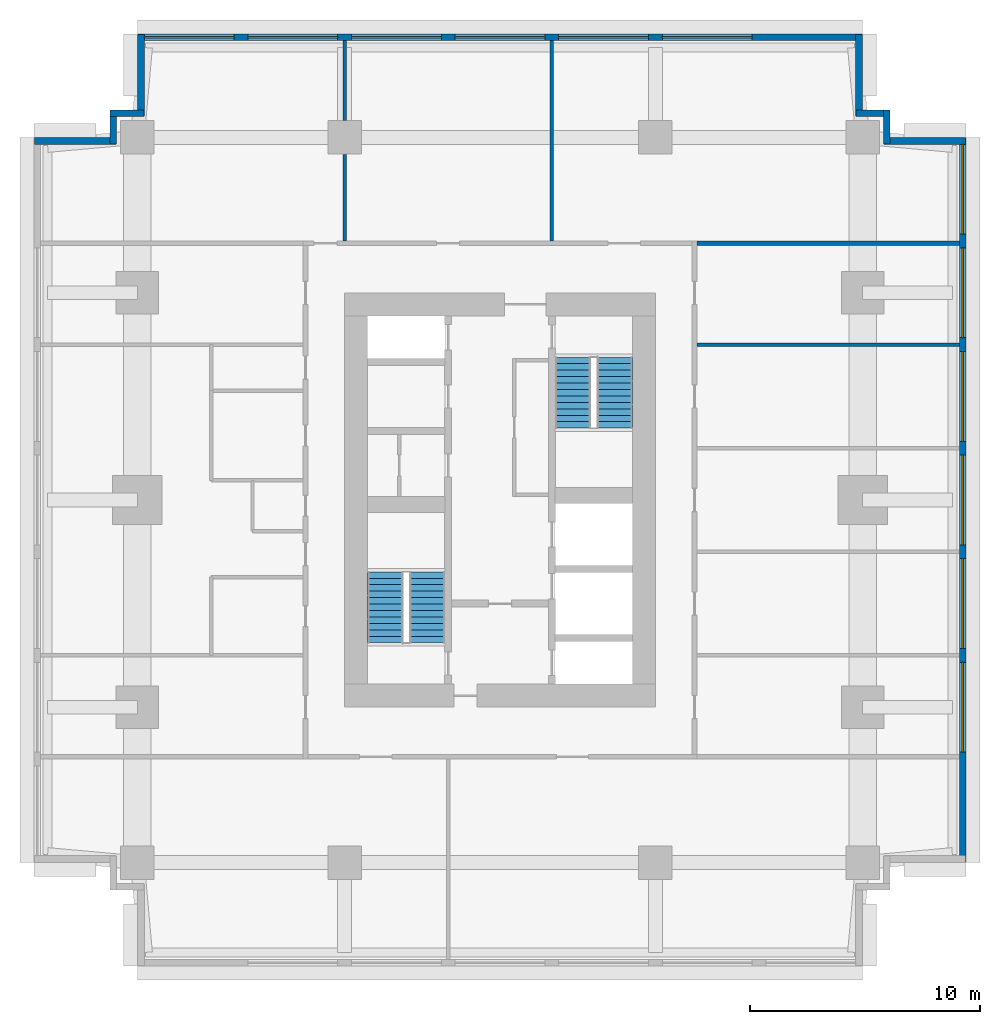
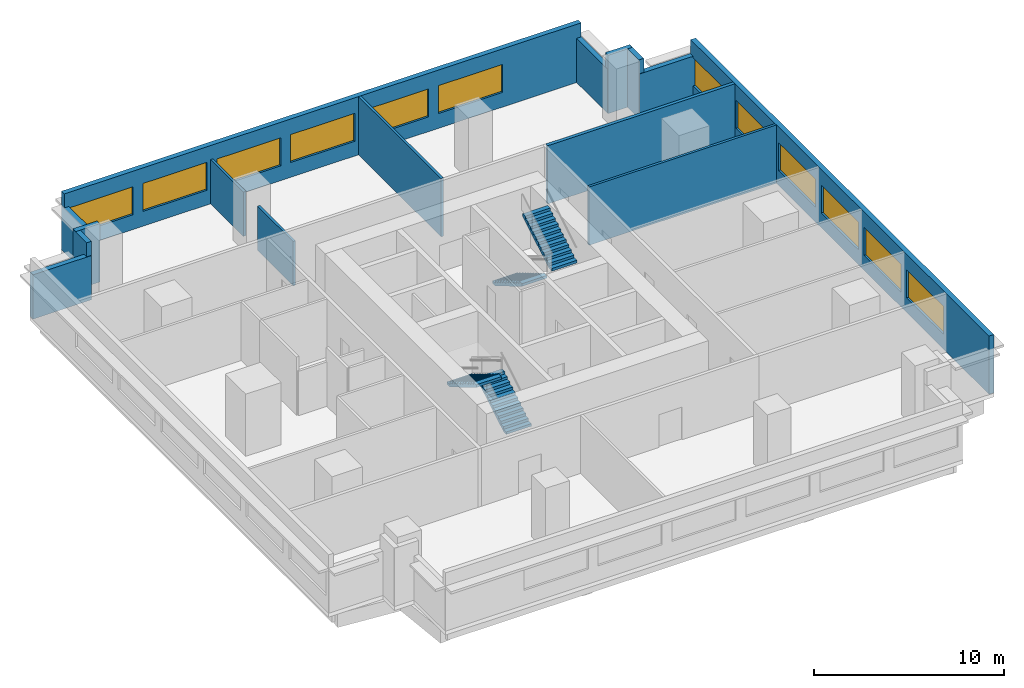
# One storey, part 4 of 5: 15 walls, 12 windows, 4 stair flights, 12 openings, 2 elements without a shape of their own.
"""IFC4 building model written with IfcOpenShell, lengths in metres."""

import ifcopenshell
import ifcopenshell.guid

model = None  # the IFC model being written
_history = None  # IfcOwnerHistory: only IFC2X3 demands one
_inside = {}  # id of a spatial element -> (the spatial element, [elements in it])
_under = {}  # id of a project, library or spatial element -> (it, [spatial elements below it])
_declared = {}  # id of a project -> (the project, [libraries it declares])
_typed = {}  # id of a type object -> (the type object, [elements of that type])
_made_of = {}  # id of a material, layer set ... -> (it, [elements and type objects made of it])


def new_model(schema):
    """Start an empty IFC model of exactly this schema.

    Asked for "IFC4X3", IfcOpenShell would pick the latest addendum, in which some entities
    have other attributes; the version numbers below select the first issue.
    IFC2X3 requires an IfcOwnerHistory on every rooted entity: one is made here for all.
    """
    global model, _history
    if schema == "IFC4X3":
        model = ifcopenshell.file(schema_version=(4, 3, 0, 0))
    else:
        model = ifcopenshell.file(schema=schema)
    _inside.clear()
    _under.clear()
    _declared.clear()
    _typed.clear()
    _made_of.clear()
    _history = None
    if model.schema == "IFC2X3":
        org = make("IfcOrganization", Name="unknown")
        user = make(
            "IfcPersonAndOrganization",
            ThePerson=make("IfcPerson", FamilyName="unknown"),
            TheOrganization=org,
        )
        app = make(
            "IfcApplication",
            ApplicationDeveloper=org,
            Version="unknown",
            ApplicationFullName="unknown",
            ApplicationIdentifier="unknown",
        )
        _history = make(
            "IfcOwnerHistory",
            OwningUser=user,
            OwningApplication=app,
            ChangeAction="ADDED",
            CreationDate=0,
        )
    return model


def make(cls, **values):
    """One entity of the class cls with the attributes given. An attribute that is None is left unset."""
    return model.create_entity(
        cls, **{name: value for name, value in values.items() if value is not None}
    )


def rooted(cls, **values):
    """An entity with a GlobalId (a new one), such as an element, a storey or a relation."""
    return make(cls, GlobalId=ifcopenshell.guid.new(), OwnerHistory=_history, **values)


def si_unit(unit_type, name, prefix=None):
    """IfcSIUnit, for example si_unit("LENGTHUNIT", "METRE", prefix="MILLI")."""
    return make("IfcSIUnit", UnitType=unit_type, Prefix=prefix, Name=name)


def assignment(units):
    """IfcUnitAssignment: the units of a project."""
    return None if units is None else make("IfcUnitAssignment", Units=units)


def point(xyz):
    """IfcCartesianPoint."""
    return None if xyz is None else make("IfcCartesianPoint", Coordinates=xyz)


def direction(xyz):
    """IfcDirection."""
    return None if xyz is None else make("IfcDirection", DirectionRatios=xyz)


def frame(location, z_axis=None, x_axis=None):
    """IfcAxis2Placement3D, a coordinate frame: its origin and axes. An axis left out is left unset."""
    return make(
        "IfcAxis2Placement3D",
        Location=point(location),
        Axis=direction(z_axis),
        RefDirection=direction(x_axis),
    )


def frame_2d(location, x_axis=None):
    """IfcAxis2Placement2D, a coordinate frame in the plane: its origin and x axis."""
    return make(
        "IfcAxis2Placement2D", Location=point(location), RefDirection=direction(x_axis)
    )


def origin():
    """The frame at (0, 0, 0) with its axes left unset."""
    return frame((0.0, 0.0, 0.0))


def place(relative_to, where):
    """IfcLocalPlacement: puts the frame where relative to a parent placement (None: the world)."""
    return make(
        "IfcLocalPlacement", PlacementRelTo=relative_to, RelativePlacement=where
    )


def context(
    kind, dimensions, precision=None, world=None, true_north=None, identifier=None
):
    """IfcGeometricRepresentationContext, for example the 3D "Model" context."""
    return make(
        "IfcGeometricRepresentationContext",
        ContextIdentifier=identifier,
        ContextType=kind,
        CoordinateSpaceDimension=dimensions,
        Precision=precision,
        WorldCoordinateSystem=world,
        TrueNorth=true_north,
    )


def subcontext(parent, identifier, kind, view, scale=None):
    """IfcGeometricRepresentationSubContext, for example "Body" below "Model"."""
    return make(
        "IfcGeometricRepresentationSubContext",
        ContextIdentifier=identifier,
        ContextType=kind,
        ParentContext=parent,
        TargetScale=scale,
        TargetView=view,
    )


def project(units=None, contexts=None):
    """IfcProject with its units and contexts."""
    return rooted(
        "IfcProject",
        Name="project",
        RepresentationContexts=contexts,
        UnitsInContext=assignment(units),
    )


def spatial(cls, under=None, at=None, **own):
    """A site, building, storey or space (cls), placed at a placement, below another one or the project."""
    s = rooted(cls, ObjectPlacement=at, **own)
    if under is not None:
        _under.setdefault(under.id(), (under, []))[1].append(s)
    return s


def polyline(points):
    """IfcPolyline through the points."""
    return make("IfcPolyline", Points=[point(p) for p in points])


def profile(cls, at=None, kind="AREA", **sizes):
    """A parametric profile (cls). Its sizes go by their IFC names, for example OverallWidth=200.0."""
    return make(cls, ProfileType=kind, Position=at, **sizes)


def rectangle(**sizes):
    """IfcRectangleProfileDef."""
    return profile("IfcRectangleProfileDef", **sizes)


def outline(outer, holes=None, kind="AREA"):
    """IfcArbitraryClosedProfileDef: a profile drawn as a closed curve; with holes, ...WithVoids."""
    if holes is None:
        return make("IfcArbitraryClosedProfileDef", ProfileType=kind, OuterCurve=outer)
    return make(
        "IfcArbitraryProfileDefWithVoids",
        ProfileType=kind,
        OuterCurve=outer,
        InnerCurves=holes,
    )


def extrude(swept, where, along, depth):
    """IfcExtrudedAreaSolid: the profile swept, set in the frame where, extruded along a direction by depth."""
    return make(
        "IfcExtrudedAreaSolid",
        SweptArea=swept,
        Position=where,
        ExtrudedDirection=direction(along),
        Depth=depth,
    )


def shape(context_of_items, identifier, shape_type, items):
    """IfcShapeRepresentation: the items that make up one representation, for example the "Body"."""
    return make(
        "IfcShapeRepresentation",
        ContextOfItems=context_of_items,
        RepresentationIdentifier=identifier,
        RepresentationType=shape_type,
        Items=items,
    )


def material(Name=None, Category=None):
    """IfcMaterial."""
    return make("IfcMaterial", Name=Name, Category=Category)


def layer(
    of_material, thickness, ventilated=None, Name=None, Category=None, Priority=None
):
    """IfcMaterialLayer: one layer of a wall or slab, of a material (None: an air gap)."""
    return make(
        "IfcMaterialLayer",
        Material=of_material,
        LayerThickness=thickness,
        IsVentilated=ventilated,
        Name=Name,
        Category=Category,
        Priority=Priority,
    )


def layer_set(layers, Name=None):
    """IfcMaterialLayerSet."""
    return make("IfcMaterialLayerSet", MaterialLayers=layers, LayerSetName=Name)


def made_of(thing, what):
    """Note that an element or type object is made of a material, layer set ...; save() writes the relation."""
    if what is not None:
        _made_of.setdefault(what.id(), (what, []))[1].append(thing)
    return thing


def type_object(cls, material=None, **own):
    """A type object (cls), such as IfcWallType, which elements share."""
    return made_of(rooted(cls, **own), material)


def element(
    cls,
    number,
    at=None,
    inside=None,
    cuts=None,
    type_object=None,
    material=None,
    context=None,
    identifier="Body",
    shape_type=None,
    held_by="IfcProductDefinitionShape",
    body=None,
    shapes=None,
    **own,
):
    """One element of the class cls, such as IfcWall. Its Tag is "e" and its number.

    at: its placement. inside: the storey or other place that contains it. cuts: it is an
    opening in that element (IfcRelVoidsElement). A single representation is given by context,
    identifier, shape_type and body (its items); several are given by shapes. held_by: the class
    of the entity that holds the representations. save() writes the other relations.
    """
    e = rooted(cls, Tag="e%d" % number, ObjectPlacement=at, **own)
    if body is not None:
        shapes = [shape(context, identifier, shape_type, body)]
    if shapes is not None:
        e.Representation = make(held_by, Representations=shapes)
    if inside is not None:
        _inside.setdefault(inside.id(), (inside, []))[1].append(e)
    if cuts is not None:
        rooted(
            "IfcRelVoidsElement", RelatingBuildingElement=cuts, RelatedOpeningElement=e
        )
    if type_object is not None:
        _typed.setdefault(type_object.id(), (type_object, []))[1].append(e)
    return made_of(e, material)


def fill(opening, filler):
    """IfcRelFillsElement: the door or window that sits in an opening."""
    return rooted(
        "IfcRelFillsElement",
        RelatingOpeningElement=opening,
        RelatedBuildingElement=filler,
    )


def aggregate(whole, parts):
    """IfcRelAggregates: a whole, such as a stair, and the parts it consists of."""
    return rooted("IfcRelAggregates", RelatingObject=whole, RelatedObjects=parts)


def save(model, path):
    """Write the relations noted so far, then the file.

    IfcRelAggregates (storeys below a building ...), IfcRelContainedInSpatialStructure (elements
    in a storey), IfcRelDefinesByType, IfcRelAssociatesMaterial and IfcRelDeclares: one each for
    every whole, place, type object, material and project.
    """
    for whole, parts in _under.values():
        aggregate(whole, parts)
    for where, things in _inside.values():
        rooted(
            "IfcRelContainedInSpatialStructure",
            RelatedElements=things,
            RelatingStructure=where,
        )
    for kind, things in _typed.values():
        rooted("IfcRelDefinesByType", RelatedObjects=things, RelatingType=kind)
    for what, things in _made_of.values():
        rooted("IfcRelAssociatesMaterial", RelatedObjects=things, RelatingMaterial=what)
    for by, libraries in _declared.values():
        rooted("IfcRelDeclares", RelatingContext=by, RelatedDefinitions=libraries)
    model.write(path)


model = new_model("IFC4")

# Units and contexts
model_context = context("Model", 3, precision=1e-05, world=origin(), true_north=direction((0.0, 1.0)))
body_context = subcontext(model_context, "Body", "Model", "MODEL_VIEW")
ifc_project = project(units=[si_unit("LENGTHUNIT", "METRE"), si_unit("AREAUNIT", "SQUARE_METRE"), si_unit("VOLUMEUNIT", "CUBIC_METRE"), si_unit("PLANEANGLEUNIT", "RADIAN"), si_unit("MASSUNIT", "GRAM", prefix="KILO")], contexts=[model_context])

# Site, building, storey
site_placement = place(None, origin())
site = spatial("IfcSite", under=ifc_project, at=site_placement, CompositionType="ELEMENT")
building_placement = place(site_placement, origin())
building = spatial("IfcBuilding", under=site, at=building_placement, Name="Namib Vertical Campus", CompositionType="ELEMENT")
storey_placement = place(building_placement, frame((0.0, 0.0, 253.0)))
storey = spatial("IfcBuildingStorey", under=building, at=storey_placement, Name="L59", CompositionType="ELEMENT", Elevation=253.0)

# Wall
ifc_material_1 = material(Name="Concrete masonry", Category="masonry")
ifc_layer_1 = layer(ifc_material_1, 0.199951171875)
ifc_layer_set_1 = layer_set([ifc_layer_1], Name="Corridor wall 200")
wall_type_1 = type_object("IfcWallType", Name="Corridor wall 200", PredefinedType="SOLIDWALL", material=ifc_layer_set_1)
wall_1_placement = place(storey_placement, frame((28.800048828125, 31.39990234375, 0.0), z_axis=(0.0, 0.0, 1.0), x_axis=(1.0, 0.0, 0.0)))
element("IfcWall", 1, at=wall_1_placement, inside=storey, type_object=wall_type_1, Name="Partition A L59 BNE", PredefinedType="SOLIDWALL", context=body_context, shape_type="SweptSolid", body=[
    extrude(rectangle(XDim=11.39990234375, YDim=0.199951171875, at=frame_2d((5.699951171875, 0.0))), origin(), (0.0, 0.0, 1.0), 3.75),
])

# Wall, openings, windows
ifc_material_2 = material(Name="Concrete C40/50", Category="concrete")
ifc_layer_2 = layer(ifc_material_2, 0.300048828125)
ifc_layer_set_2 = layer_set([ifc_layer_2], Name="Concrete C40/50")
wall_type_2 = type_object("IfcWallType", Name="External wall 300 board-marked concrete", PredefinedType="STANDARD", material=ifc_layer_set_2)
wall_2_placement = place(storey_placement, frame((40.35009765625, 4.52001953125, 0.0), z_axis=(0.0, 0.0, 1.0), x_axis=(0.0, 1.0, 0.0)))
wall_2 = element("IfcWall", 2, at=wall_2_placement, inside=storey, type_object=wall_type_2, Name="External wall L59 F06", PredefinedType="STANDARD", context=body_context, shape_type="SweptSolid", body=[
    extrude(rectangle(XDim=31.4599609375, YDim=0.300048828125, at=frame_2d((15.72998046875, 0.0))), origin(), (0.0, 0.0, 1.0), 3.75),
])
opening_1_placement = place(wall_2_placement, frame((4.780029296875, 0.0, 0.949951171875)))
opening_1 = element("IfcOpeningElement", 3, at=opening_1_placement, cuts=wall_2, Name="Opening W3", PredefinedType="OPENING", context=body_context, shape_type="SweptSolid", body=[
    extrude(rectangle(XDim=3.89990234375, YDim=1.800048828125, at=frame_2d((1.949951171875, 0.89990234375))), frame((0.0, 0.159912109375, 0.0), z_axis=(0.0, -1.0, 0.0), x_axis=(1.0, 0.0, 0.0)), (0.0, 0.0, 1.0), 0.320068359375),
])
opening_2_placement = place(wall_2_placement, frame((9.280029296875, 0.0, 0.949951171875)))
opening_2 = element("IfcOpeningElement", 4, at=opening_2_placement, cuts=wall_2, Name="Opening W3", PredefinedType="OPENING", context=body_context, shape_type="SweptSolid", body=[
    extrude(rectangle(XDim=3.89990234375, YDim=1.800048828125, at=frame_2d((1.949951171875, 0.89990234375))), frame((0.0, 0.159912109375, 0.0), z_axis=(0.0, -1.0, 0.0), x_axis=(1.0, 0.0, 0.0)), (0.0, 0.0, 1.0), 0.320068359375),
])
opening_3_placement = place(wall_2_placement, frame((13.780029296875, 0.0, 0.949951171875)))
opening_3 = element("IfcOpeningElement", 5, at=opening_3_placement, cuts=wall_2, Name="Opening W3", PredefinedType="OPENING", context=body_context, shape_type="SweptSolid", body=[
    extrude(rectangle(XDim=3.89990234375, YDim=1.800048828125, at=frame_2d((1.949951171875, 0.89990234375))), frame((0.0, 0.159912109375, 0.0), z_axis=(0.0, -1.0, 0.0), x_axis=(1.0, 0.0, 0.0)), (0.0, 0.0, 1.0), 0.320068359375),
])
opening_4_placement = place(wall_2_placement, frame((18.280029296875, 0.0, 0.949951171875)))
opening_4 = element("IfcOpeningElement", 6, at=opening_4_placement, cuts=wall_2, Name="Opening W3", PredefinedType="OPENING", context=body_context, shape_type="SweptSolid", body=[
    extrude(rectangle(XDim=3.89990234375, YDim=1.800048828125, at=frame_2d((1.949951171875, 0.89990234375))), frame((0.0, 0.159912109375, 0.0), z_axis=(0.0, -1.0, 0.0), x_axis=(1.0, 0.0, 0.0)), (0.0, 0.0, 1.0), 0.320068359375),
])
opening_5_placement = place(wall_2_placement, frame((22.780029296875, 0.0, 0.949951171875)))
opening_5 = element("IfcOpeningElement", 7, at=opening_5_placement, cuts=wall_2, Name="Opening W3", PredefinedType="OPENING", context=body_context, shape_type="SweptSolid", body=[
    extrude(rectangle(XDim=3.89990234375, YDim=1.800048828125, at=frame_2d((1.949951171875, 0.89990234375))), frame((0.0, 0.159912109375, 0.0), z_axis=(0.0, -1.0, 0.0), x_axis=(1.0, 0.0, 0.0)), (0.0, 0.0, 1.0), 0.320068359375),
])
opening_6_placement = place(wall_2_placement, frame((27.280029296875, 0.0, 0.949951171875)))
opening_6 = element("IfcOpeningElement", 8, at=opening_6_placement, cuts=wall_2, Name="Opening W3", PredefinedType="OPENING", context=body_context, shape_type="SweptSolid", body=[
    extrude(rectangle(XDim=3.89990234375, YDim=1.800048828125, at=frame_2d((1.949951171875, 0.89990234375))), frame((0.0, 0.159912109375, 0.0), z_axis=(0.0, -1.0, 0.0), x_axis=(1.0, 0.0, 0.0)), (0.0, 0.0, 1.0), 0.320068359375),
])
ifc_material_3 = material(Name="Dark tinted glass in black aluminium frame", Category="aluminium")
window_type = type_object("IfcWindowType", Name="Ribbon window 3900x1800", PartitioningType="SINGLE_PANEL", PredefinedType="WINDOW", material=ifc_material_3)
window_1_placement = place(opening_1_placement, origin())
window_1 = element("IfcWindow", 9, at=window_1_placement, inside=storey, type_object=window_type, Name="Window W3 L59 F06-2", OverallHeight=1.800048828125, OverallWidth=3.89990234375, PartitioningType="SINGLE_PANEL", PredefinedType="WINDOW", context=body_context, shape_type="SweptSolid", body=[
    extrude(rectangle(XDim=3.89990234375, YDim=1.800048828125, at=frame_2d((1.949951171875, 0.89990234375))), frame((0.0, 0.030029296875, 0.0), z_axis=(0.0, -1.0, 0.0), x_axis=(1.0, 0.0, 0.0)), (0.0, 0.0, 1.0), 0.06005859375),
])
fill(opening_1, window_1)
window_2_placement = place(opening_2_placement, origin())
window_2 = element("IfcWindow", 10, at=window_2_placement, inside=storey, type_object=window_type, Name="Window W3 L59 F06-3", OverallHeight=1.800048828125, OverallWidth=3.89990234375, PartitioningType="SINGLE_PANEL", PredefinedType="WINDOW", context=body_context, shape_type="SweptSolid", body=[
    extrude(rectangle(XDim=3.89990234375, YDim=1.800048828125, at=frame_2d((1.949951171875, 0.89990234375))), frame((0.0, 0.030029296875, 0.0), z_axis=(0.0, -1.0, 0.0), x_axis=(1.0, 0.0, 0.0)), (0.0, 0.0, 1.0), 0.06005859375),
])
fill(opening_2, window_2)
window_3_placement = place(opening_3_placement, origin())
window_3 = element("IfcWindow", 11, at=window_3_placement, inside=storey, type_object=window_type, Name="Window W3 L59 F06-4", OverallHeight=1.800048828125, OverallWidth=3.89990234375, PartitioningType="SINGLE_PANEL", PredefinedType="WINDOW", context=body_context, shape_type="SweptSolid", body=[
    extrude(rectangle(XDim=3.89990234375, YDim=1.800048828125, at=frame_2d((1.949951171875, 0.89990234375))), frame((0.0, 0.030029296875, 0.0), z_axis=(0.0, -1.0, 0.0), x_axis=(1.0, 0.0, 0.0)), (0.0, 0.0, 1.0), 0.06005859375),
])
fill(opening_3, window_3)
window_4_placement = place(opening_4_placement, origin())
window_4 = element("IfcWindow", 12, at=window_4_placement, inside=storey, type_object=window_type, Name="Window W3 L59 F06-5", OverallHeight=1.800048828125, OverallWidth=3.89990234375, PartitioningType="SINGLE_PANEL", PredefinedType="WINDOW", context=body_context, shape_type="SweptSolid", body=[
    extrude(rectangle(XDim=3.89990234375, YDim=1.800048828125, at=frame_2d((1.949951171875, 0.89990234375))), frame((0.0, 0.030029296875, 0.0), z_axis=(0.0, -1.0, 0.0), x_axis=(1.0, 0.0, 0.0)), (0.0, 0.0, 1.0), 0.06005859375),
])
fill(opening_4, window_4)
window_5_placement = place(opening_5_placement, origin())
window_5 = element("IfcWindow", 13, at=window_5_placement, inside=storey, type_object=window_type, Name="Window W3 L59 F06-6", OverallHeight=1.800048828125, OverallWidth=3.89990234375, PartitioningType="SINGLE_PANEL", PredefinedType="WINDOW", context=body_context, shape_type="SweptSolid", body=[
    extrude(rectangle(XDim=3.89990234375, YDim=1.800048828125, at=frame_2d((1.949951171875, 0.89990234375))), frame((0.0, 0.030029296875, 0.0), z_axis=(0.0, -1.0, 0.0), x_axis=(1.0, 0.0, 0.0)), (0.0, 0.0, 1.0), 0.06005859375),
])
fill(opening_5, window_5)
window_6_placement = place(opening_6_placement, origin())
window_6 = element("IfcWindow", 14, at=window_6_placement, inside=storey, type_object=window_type, Name="Window W3 L59 F06-7", OverallHeight=1.800048828125, OverallWidth=3.89990234375, PartitioningType="SINGLE_PANEL", PredefinedType="WINDOW", context=body_context, shape_type="SweptSolid", body=[
    extrude(rectangle(XDim=3.89990234375, YDim=1.800048828125, at=frame_2d((1.949951171875, 0.89990234375))), frame((0.0, 0.030029296875, 0.0), z_axis=(0.0, -1.0, 0.0), x_axis=(1.0, 0.0, 0.0)), (0.0, 0.0, 1.0), 0.06005859375),
])
fill(opening_6, window_6)

# Walls
wall_3_placement = place(storey_placement, frame((40.47998046875, 35.85009765625, 0.0), z_axis=(0.0, 0.0, 1.0), x_axis=(-1.0, 0.0, 0.0)))
element("IfcWall", 15, at=wall_3_placement, inside=storey, type_object=wall_type_2, Name="External wall L59 F07", PredefinedType="STANDARD", context=body_context, shape_type="SweptSolid", body=[
    extrude(rectangle(XDim=3.56005859375, YDim=0.300048828125, at=frame_2d((1.780029296875, 0.0))), origin(), (0.0, 0.0, 1.0), 2.85009765625),
])
for number, where, z_axis, x_axis, name in (
    (16, (37.050048828125, 35.719970703125, 0.0), (0.0, 0.0, 1.0), (0.0, 1.0, 0.0), "External wall L59 F08"),
    (17, (37.179931640625, 37.050048828125, 0.0), (0.0, 0.0, 1.0), (-1.0, 0.0, 0.0), "External wall L59 F09"),
):
    element("IfcWall", number, at=place(storey_placement, frame(where, z_axis=z_axis, x_axis=x_axis)), inside=storey, type_object=wall_type_2, Name=name, PredefinedType="STANDARD", context=body_context, shape_type="SweptSolid", body=[
        extrude(rectangle(XDim=1.4599609375, YDim=0.300048828125, at=frame_2d((0.72998046875, 0.0))), origin(), (0.0, 0.0, 1.0), 3.75),
    ])
wall_4_placement = place(storey_placement, frame((35.85009765625, 36.919921875, 0.0), z_axis=(0.0, 0.0, 1.0), x_axis=(0.0, 1.0, 0.0)))
element("IfcWall", 18, at=wall_4_placement, inside=storey, type_object=wall_type_2, Name="External wall L59 F10", PredefinedType="STANDARD", context=body_context, shape_type="SweptSolid", body=[
    extrude(rectangle(XDim=3.56005859375, YDim=0.300048828125, at=frame_2d((1.780029296875, 0.0))), origin(), (0.0, 0.0, 1.0), 2.85009765625),
])

# Wall, openings, windows
wall_5_placement = place(storey_placement, frame((35.97998046875, 40.35009765625, 0.0), z_axis=(0.0, 0.0, 1.0), x_axis=(-1.0, 0.0, 0.0)))
wall_5 = element("IfcWall", 19, at=wall_5_placement, inside=storey, type_object=wall_type_2, Name="External wall L59 F11", PredefinedType="STANDARD", context=body_context, shape_type="SweptSolid", body=[
    extrude(rectangle(XDim=31.4599609375, YDim=0.300048828125, at=frame_2d((15.72998046875, 0.0))), origin(), (0.0, 0.0, 1.0), 3.75),
])
opening_7_placement = place(wall_5_placement, frame((27.280029296875, 0.0, 0.949951171875)))
opening_7 = element("IfcOpeningElement", 20, at=opening_7_placement, cuts=wall_5, Name="Opening W3", PredefinedType="OPENING", context=body_context, shape_type="SweptSolid", body=[
    extrude(rectangle(XDim=3.89990234375, YDim=1.800048828125, at=frame_2d((1.949951171875, 0.89990234375))), frame((0.0, 0.159912109375, 0.0), z_axis=(0.0, -1.0, 0.0), x_axis=(1.0, 0.0, 0.0)), (0.0, 0.0, 1.0), 0.320068359375),
])
opening_8_placement = place(wall_5_placement, frame((22.780029296875, 0.0, 0.949951171875)))
opening_8 = element("IfcOpeningElement", 21, at=opening_8_placement, cuts=wall_5, Name="Opening W3", PredefinedType="OPENING", context=body_context, shape_type="SweptSolid", body=[
    extrude(rectangle(XDim=3.89990234375, YDim=1.800048828125, at=frame_2d((1.949951171875, 0.89990234375))), frame((0.0, 0.159912109375, 0.0), z_axis=(0.0, -1.0, 0.0), x_axis=(1.0, 0.0, 0.0)), (0.0, 0.0, 1.0), 0.320068359375),
])
opening_9_placement = place(wall_5_placement, frame((18.280029296875, 0.0, 0.949951171875)))
opening_9 = element("IfcOpeningElement", 22, at=opening_9_placement, cuts=wall_5, Name="Opening W3", PredefinedType="OPENING", context=body_context, shape_type="SweptSolid", body=[
    extrude(rectangle(XDim=3.89990234375, YDim=1.800048828125, at=frame_2d((1.949951171875, 0.89990234375))), frame((0.0, 0.159912109375, 0.0), z_axis=(0.0, -1.0, 0.0), x_axis=(1.0, 0.0, 0.0)), (0.0, 0.0, 1.0), 0.320068359375),
])
opening_10_placement = place(wall_5_placement, frame((13.780029296875, 0.0, 0.949951171875)))
opening_10 = element("IfcOpeningElement", 23, at=opening_10_placement, cuts=wall_5, Name="Opening W3", PredefinedType="OPENING", context=body_context, shape_type="SweptSolid", body=[
    extrude(rectangle(XDim=3.89990234375, YDim=1.800048828125, at=frame_2d((1.949951171875, 0.89990234375))), frame((0.0, 0.159912109375, 0.0), z_axis=(0.0, -1.0, 0.0), x_axis=(1.0, 0.0, 0.0)), (0.0, 0.0, 1.0), 0.320068359375),
])
opening_11_placement = place(wall_5_placement, frame((9.280029296875, 0.0, 0.949951171875)))
opening_11 = element("IfcOpeningElement", 24, at=opening_11_placement, cuts=wall_5, Name="Opening W3", PredefinedType="OPENING", context=body_context, shape_type="SweptSolid", body=[
    extrude(rectangle(XDim=3.89990234375, YDim=1.800048828125, at=frame_2d((1.949951171875, 0.89990234375))), frame((0.0, 0.159912109375, 0.0), z_axis=(0.0, -1.0, 0.0), x_axis=(1.0, 0.0, 0.0)), (0.0, 0.0, 1.0), 0.320068359375),
])
opening_12_placement = place(wall_5_placement, frame((4.780029296875, 0.0, 0.949951171875)))
opening_12 = element("IfcOpeningElement", 25, at=opening_12_placement, cuts=wall_5, Name="Opening W3", PredefinedType="OPENING", context=body_context, shape_type="SweptSolid", body=[
    extrude(rectangle(XDim=3.89990234375, YDim=1.800048828125, at=frame_2d((1.949951171875, 0.89990234375))), frame((0.0, 0.159912109375, 0.0), z_axis=(0.0, -1.0, 0.0), x_axis=(1.0, 0.0, 0.0)), (0.0, 0.0, 1.0), 0.320068359375),
])
window_7_placement = place(opening_7_placement, origin())
window_7 = element("IfcWindow", 26, at=window_7_placement, inside=storey, type_object=window_type, Name="Window W3 L59 F11-1", OverallHeight=1.800048828125, OverallWidth=3.89990234375, PartitioningType="SINGLE_PANEL", PredefinedType="WINDOW", context=body_context, shape_type="SweptSolid", body=[
    extrude(rectangle(XDim=3.89990234375, YDim=1.800048828125, at=frame_2d((1.949951171875, 0.89990234375))), frame((0.0, 0.030029296875, 0.0), z_axis=(0.0, -1.0, 0.0), x_axis=(1.0, 0.0, 0.0)), (0.0, 0.0, 1.0), 0.06005859375),
])
fill(opening_7, window_7)
window_8_placement = place(opening_8_placement, origin())
window_8 = element("IfcWindow", 27, at=window_8_placement, inside=storey, type_object=window_type, Name="Window W3 L59 F11-2", OverallHeight=1.800048828125, OverallWidth=3.89990234375, PartitioningType="SINGLE_PANEL", PredefinedType="WINDOW", context=body_context, shape_type="SweptSolid", body=[
    extrude(rectangle(XDim=3.89990234375, YDim=1.800048828125, at=frame_2d((1.949951171875, 0.89990234375))), frame((0.0, 0.030029296875, 0.0), z_axis=(0.0, -1.0, 0.0), x_axis=(1.0, 0.0, 0.0)), (0.0, 0.0, 1.0), 0.06005859375),
])
fill(opening_8, window_8)
window_9_placement = place(opening_9_placement, origin())
window_9 = element("IfcWindow", 28, at=window_9_placement, inside=storey, type_object=window_type, Name="Window W3 L59 F11-3", OverallHeight=1.800048828125, OverallWidth=3.89990234375, PartitioningType="SINGLE_PANEL", PredefinedType="WINDOW", context=body_context, shape_type="SweptSolid", body=[
    extrude(rectangle(XDim=3.89990234375, YDim=1.800048828125, at=frame_2d((1.949951171875, 0.89990234375))), frame((0.0, 0.030029296875, 0.0), z_axis=(0.0, -1.0, 0.0), x_axis=(1.0, 0.0, 0.0)), (0.0, 0.0, 1.0), 0.06005859375),
])
fill(opening_9, window_9)
window_10_placement = place(opening_10_placement, origin())
window_10 = element("IfcWindow", 29, at=window_10_placement, inside=storey, type_object=window_type, Name="Window W3 L59 F11-4", OverallHeight=1.800048828125, OverallWidth=3.89990234375, PartitioningType="SINGLE_PANEL", PredefinedType="WINDOW", context=body_context, shape_type="SweptSolid", body=[
    extrude(rectangle(XDim=3.89990234375, YDim=1.800048828125, at=frame_2d((1.949951171875, 0.89990234375))), frame((0.0, 0.030029296875, 0.0), z_axis=(0.0, -1.0, 0.0), x_axis=(1.0, 0.0, 0.0)), (0.0, 0.0, 1.0), 0.06005859375),
])
fill(opening_10, window_10)
window_11_placement = place(opening_11_placement, origin())
window_11 = element("IfcWindow", 30, at=window_11_placement, inside=storey, type_object=window_type, Name="Window W3 L59 F11-5", OverallHeight=1.800048828125, OverallWidth=3.89990234375, PartitioningType="SINGLE_PANEL", PredefinedType="WINDOW", context=body_context, shape_type="SweptSolid", body=[
    extrude(rectangle(XDim=3.89990234375, YDim=1.800048828125, at=frame_2d((1.949951171875, 0.89990234375))), frame((0.0, 0.030029296875, 0.0), z_axis=(0.0, -1.0, 0.0), x_axis=(1.0, 0.0, 0.0)), (0.0, 0.0, 1.0), 0.06005859375),
])
fill(opening_11, window_11)
window_12_placement = place(opening_12_placement, origin())
window_12 = element("IfcWindow", 31, at=window_12_placement, inside=storey, type_object=window_type, Name="Window W3 L59 F11-6", OverallHeight=1.800048828125, OverallWidth=3.89990234375, PartitioningType="SINGLE_PANEL", PredefinedType="WINDOW", context=body_context, shape_type="SweptSolid", body=[
    extrude(rectangle(XDim=3.89990234375, YDim=1.800048828125, at=frame_2d((1.949951171875, 0.89990234375))), frame((0.0, 0.030029296875, 0.0), z_axis=(0.0, -1.0, 0.0), x_axis=(1.0, 0.0, 0.0)), (0.0, 0.0, 1.0), 0.06005859375),
])
fill(opening_12, window_12)

# Walls
wall_6_placement = place(storey_placement, frame((4.64990234375, 40.47998046875, 0.0), z_axis=(0.0, 0.0, 1.0), x_axis=(0.0, -1.0, 0.0)))
element("IfcWall", 32, at=wall_6_placement, inside=storey, type_object=wall_type_2, Name="External wall L59 F12", PredefinedType="STANDARD", context=body_context, shape_type="SweptSolid", body=[
    extrude(rectangle(XDim=3.56005859375, YDim=0.300048828125, at=frame_2d((1.780029296875, 0.0))), origin(), (0.0, 0.0, 1.0), 2.85009765625),
])
for number, where, z_axis, x_axis, name in (
    (33, (4.780029296875, 37.050048828125, 0.0), (0.0, 0.0, 1.0), (-1.0, 0.0, 0.0), "External wall L59 F13"),
    (34, (3.449951171875, 37.179931640625, 0.0), (0.0, 0.0, 1.0), (0.0, -1.0, 0.0), "External wall L59 F14"),
):
    element("IfcWall", number, at=place(storey_placement, frame(where, z_axis=z_axis, x_axis=x_axis)), inside=storey, type_object=wall_type_2, Name=name, PredefinedType="STANDARD", context=body_context, shape_type="SweptSolid", body=[
        extrude(rectangle(XDim=1.4599609375, YDim=0.300048828125, at=frame_2d((0.72998046875, 0.0))), origin(), (0.0, 0.0, 1.0), 3.75),
    ])
wall_7_placement = place(storey_placement, frame((3.580078125, 35.85009765625, 0.0), z_axis=(0.0, 0.0, 1.0), x_axis=(-1.0, 0.0, 0.0)))
element("IfcWall", 35, at=wall_7_placement, inside=storey, type_object=wall_type_2, Name="External wall L59 F15", PredefinedType="STANDARD", context=body_context, shape_type="SweptSolid", body=[
    extrude(rectangle(XDim=3.56005859375, YDim=0.300048828125, at=frame_2d((1.780029296875, 0.0))), origin(), (0.0, 0.0, 1.0), 2.85009765625),
])
ifc_material_4 = material(Name="Gypsum board on steel studs", Category="steel")
ifc_layer_3 = layer(ifc_material_4, 0.14990234375)
ifc_layer_set_3 = layer_set([ifc_layer_3], Name="Gypsum board on steel studs")
wall_type_3 = type_object("IfcWallType", Name="Partition 150", PredefinedType="PARTITIONING", material=ifc_layer_set_3)
wall_8_placement = place(storey_placement, frame((13.5, 31.5, 0.0), z_axis=(0.0, 0.0, 1.0), x_axis=(0.0, 1.0, 0.0)))
element("IfcWall", 36, at=wall_8_placement, inside=storey, type_object=wall_type_3, Name="Partition A L59 PN1", PredefinedType="PARTITIONING", context=body_context, shape_type="SweptSolid", body=[
    extrude(rectangle(XDim=3.7548828125, YDim=0.14990234375, at=frame_2d((1.87744140625, 0.0))), origin(), (0.0, 0.0, 1.0), 2.85009765625),
])
wall_9_placement = place(storey_placement, frame((13.5, 36.7451171875, 0.0), z_axis=(0.0, 0.0, 1.0), x_axis=(0.0, 1.0, 0.0)))
element("IfcWall", 37, at=wall_9_placement, inside=storey, type_object=wall_type_3, Name="Partition A L59 PN1", PredefinedType="PARTITIONING", context=body_context, shape_type="SweptSolid", body=[
    extrude(rectangle(XDim=3.454833984375, YDim=0.14990234375, at=frame_2d((1.7275390625, 0.0))), origin(), (0.0, 0.0, 1.0), 2.85009765625),
])
wall_10_placement = place(storey_placement, frame((22.5, 31.5, 0.0), z_axis=(0.0, 0.0, 1.0), x_axis=(0.0, 1.0, 0.0)))
element("IfcWall", 38, at=wall_10_placement, inside=storey, type_object=wall_type_3, Name="Partition A L59 PN2", PredefinedType="PARTITIONING", context=body_context, shape_type="SweptSolid", body=[
    extrude(rectangle(XDim=8.699951171875, YDim=0.14990234375, at=frame_2d((4.35009765625, 0.0))), origin(), (0.0, 0.0, 1.0), 3.75),
])
wall_11_placement = place(storey_placement, frame((28.800048828125, 27.0, 0.0), z_axis=(0.0, 0.0, 1.0), x_axis=(1.0, 0.0, 0.0)))
element("IfcWall", 39, at=wall_11_placement, inside=storey, type_object=wall_type_3, Name="Partition A L59 PE4", PredefinedType="PARTITIONING", context=body_context, shape_type="SweptSolid", body=[
    extrude(rectangle(XDim=11.39990234375, YDim=0.14990234375, at=frame_2d((5.699951171875, 0.0))), origin(), (0.0, 0.0, 1.0), 3.75),
])

# Stair, stair flights
ifc_material_5 = material(Name="Concrete C40/50 precast", Category="concrete")
stair_type = type_object("IfcStairType", Name="Exit stair 4000 rise 24 risers 3350 wide", PredefinedType="HALF_TURN_STAIR", material=ifc_material_5)
stair_1_placement = place(storey_placement, origin())
stair_1 = element("IfcStair", 40, at=stair_1_placement, inside=storey, type_object=stair_type, Name="Exit stair A-S1 L59", PredefinedType="HALF_TURN_STAIR")
ifc_material_6 = material(Name="Concrete C40/50 precast", Category="concrete")
stair_flight_type = type_object("IfcStairFlightType", Name="Stair flight 12 risers 167 1525 wide", PredefinedType="STRAIGHT", material=ifc_material_6)
stair_flight_1_placement = place(storey_placement, frame((17.08740234375, 14.050048828125, 0.0), z_axis=(0.0, 0.0, 1.0), x_axis=(0.0, 1.0, 0.0)))
stair_flight_1 = element("IfcStairFlight", 41, at=stair_flight_1_placement, type_object=stair_flight_type, Name="A-S1 flight 1", NumberOfRisers=12, NumberOfTreads=11, PredefinedType="STRAIGHT", RiserHeight=0.166666667, TreadLength=0.28, context=body_context, shape_type="SweptSolid", body=[
    extrude(outline(polyline([(0.0, 0.0), (0.0, 0.166748046875), (0.280029296875, 0.166748046875), (0.280029296875, 0.333251953125), (0.56005859375, 0.333251953125), (0.56005859375, 0.5), (0.840087890625, 0.5), (0.840087890625, 0.666748046875), (1.1201171875, 0.666748046875), (1.1201171875, 0.833251953125), (1.39990234375, 0.833251953125), (1.39990234375, 1.0), (1.679931640625, 1.0), (1.679931640625, 1.166748046875), (1.9599609375, 1.166748046875), (1.9599609375, 1.333251953125), (2.239990234375, 1.333251953125), (2.239990234375, 1.5), (2.52001953125, 1.5), (2.52001953125, 1.666748046875), (2.800048828125, 1.666748046875), (2.800048828125, 1.833251953125), (3.080078125, 1.833251953125), (3.080078125, 2.0), (3.080078125, 1.658935546875), (0.29296875, 0.0), (0.0, 0.0)])), frame((0.0, 0.762451171875, 0.0), z_axis=(0.0, -1.0, 0.0), x_axis=(1.0, 0.0, 0.0)), (0.0, 0.0, 1.0), 1.52490234375),
])
stair_flight_2_placement = place(storey_placement, frame((15.262451171875, 17.1298828125, 2.0), z_axis=(0.0, 0.0, 1.0), x_axis=(0.0, -1.0, 0.0)))
stair_flight_2 = element("IfcStairFlight", 42, at=stair_flight_2_placement, type_object=stair_flight_type, Name="A-S1 flight 2", NumberOfRisers=12, NumberOfTreads=11, PredefinedType="STRAIGHT", RiserHeight=0.166666667, TreadLength=0.28, context=body_context, shape_type="SweptSolid", body=[
    extrude(outline(polyline([(0.0, 0.0), (0.0, 0.166748046875), (0.280029296875, 0.166748046875), (0.280029296875, 0.333251953125), (0.56005859375, 0.333251953125), (0.56005859375, 0.5), (0.840087890625, 0.5), (0.840087890625, 0.666748046875), (1.1201171875, 0.666748046875), (1.1201171875, 0.833251953125), (1.39990234375, 0.833251953125), (1.39990234375, 1.0), (1.679931640625, 1.0), (1.679931640625, 1.166748046875), (1.9599609375, 1.166748046875), (1.9599609375, 1.333251953125), (2.239990234375, 1.333251953125), (2.239990234375, 1.5), (2.52001953125, 1.5), (2.52001953125, 1.666748046875), (2.800048828125, 1.666748046875), (2.800048828125, 1.833251953125), (3.080078125, 1.833251953125), (3.080078125, 2.0), (3.080078125, 1.658935546875), (0.29296875, 0.0), (0.0, 0.0)])), frame((0.0, 0.762451171875, 0.0), z_axis=(0.0, -1.0, 0.0), x_axis=(1.0, 0.0, 0.0)), (0.0, 0.0, 1.0), 1.52490234375),
])
aggregate(stair_1, [stair_flight_1, stair_flight_2])

stair_2_placement = place(storey_placement, origin())
stair_2 = element("IfcStair", 43, at=stair_2_placement, inside=storey, type_object=stair_type, Name="Exit stair A-S2 L59", PredefinedType="HALF_TURN_STAIR")
stair_flight_3_placement = place(storey_placement, frame((23.41259765625, 26.449951171875, 0.0), z_axis=(0.0, 0.0, 1.0), x_axis=(0.0, -1.0, 0.0)))
stair_flight_3 = element("IfcStairFlight", 44, at=stair_flight_3_placement, type_object=stair_flight_type, Name="A-S2 flight 1", NumberOfRisers=12, NumberOfTreads=11, PredefinedType="STRAIGHT", RiserHeight=0.166666667, TreadLength=0.28, context=body_context, shape_type="SweptSolid", body=[
    extrude(outline(polyline([(0.0, 0.0), (0.0, 0.166748046875), (0.280029296875, 0.166748046875), (0.280029296875, 0.333251953125), (0.56005859375, 0.333251953125), (0.56005859375, 0.5), (0.840087890625, 0.5), (0.840087890625, 0.666748046875), (1.1201171875, 0.666748046875), (1.1201171875, 0.833251953125), (1.39990234375, 0.833251953125), (1.39990234375, 1.0), (1.679931640625, 1.0), (1.679931640625, 1.166748046875), (1.9599609375, 1.166748046875), (1.9599609375, 1.333251953125), (2.239990234375, 1.333251953125), (2.239990234375, 1.5), (2.52001953125, 1.5), (2.52001953125, 1.666748046875), (2.800048828125, 1.666748046875), (2.800048828125, 1.833251953125), (3.080078125, 1.833251953125), (3.080078125, 2.0), (3.080078125, 1.658935546875), (0.29296875, 0.0), (0.0, 0.0)])), frame((0.0, 0.762451171875, 0.0), z_axis=(0.0, -1.0, 0.0), x_axis=(1.0, 0.0, 0.0)), (0.0, 0.0, 1.0), 1.52490234375),
])
stair_flight_4_placement = place(storey_placement, frame((25.237548828125, 23.3701171875, 2.0), z_axis=(0.0, 0.0, 1.0), x_axis=(0.0, 1.0, 0.0)))
stair_flight_4 = element("IfcStairFlight", 45, at=stair_flight_4_placement, type_object=stair_flight_type, Name="A-S2 flight 2", NumberOfRisers=12, NumberOfTreads=11, PredefinedType="STRAIGHT", RiserHeight=0.166666667, TreadLength=0.28, context=body_context, shape_type="SweptSolid", body=[
    extrude(outline(polyline([(0.0, 0.0), (0.0, 0.166748046875), (0.280029296875, 0.166748046875), (0.280029296875, 0.333251953125), (0.56005859375, 0.333251953125), (0.56005859375, 0.5), (0.840087890625, 0.5), (0.840087890625, 0.666748046875), (1.1201171875, 0.666748046875), (1.1201171875, 0.833251953125), (1.39990234375, 0.833251953125), (1.39990234375, 1.0), (1.679931640625, 1.0), (1.679931640625, 1.166748046875), (1.9599609375, 1.166748046875), (1.9599609375, 1.333251953125), (2.239990234375, 1.333251953125), (2.239990234375, 1.5), (2.52001953125, 1.5), (2.52001953125, 1.666748046875), (2.800048828125, 1.666748046875), (2.800048828125, 1.833251953125), (3.080078125, 1.833251953125), (3.080078125, 2.0), (3.080078125, 1.658935546875), (0.29296875, 0.0), (0.0, 0.0)])), frame((0.0, 0.762451171875, 0.0), z_axis=(0.0, -1.0, 0.0), x_axis=(1.0, 0.0, 0.0)), (0.0, 0.0, 1.0), 1.52490234375),
])
aggregate(stair_2, [stair_flight_3, stair_flight_4])

save(model, "model.ifc")
